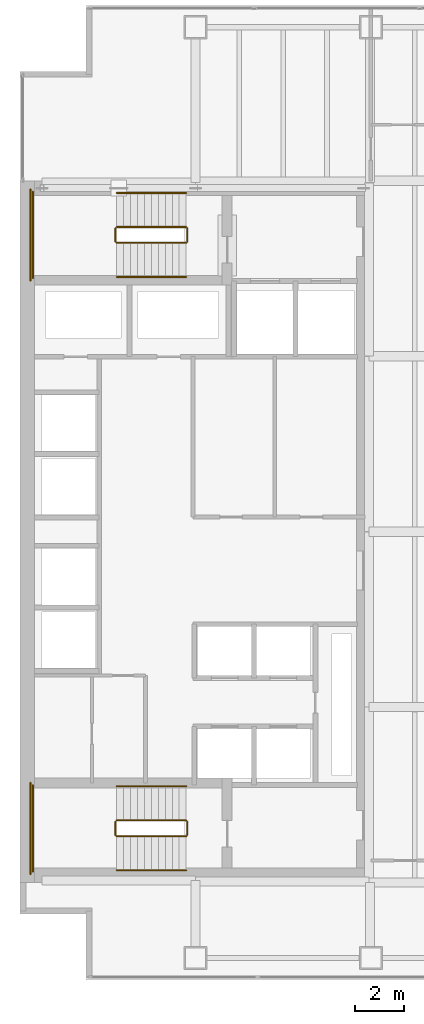
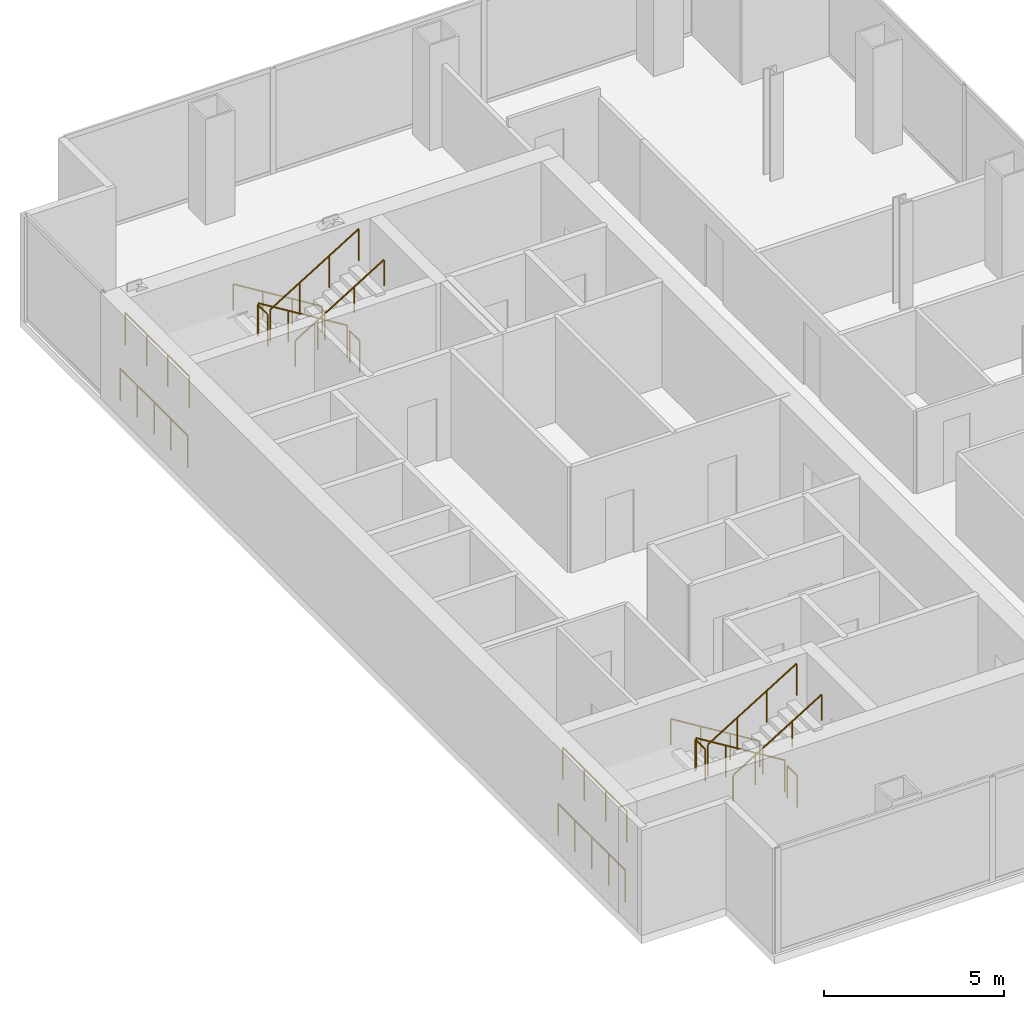
# One storey, part 23 of 23: 16 railings.
"""IFC4 building model written with IfcOpenShell, lengths in metres."""

from ifc_helpers import new_model, si_unit, direction, frame, origin, origin_2d, place, context, subcontext, project, spatial, circle, extrude, material, type_object, element, save


model = new_model("IFC4")

# Units and contexts
model_context = context("Model", 3, precision=1e-05, world=origin(), true_north=direction((0.0, 1.0)))
body_context = subcontext(model_context, "Body", "Model", "MODEL_VIEW")
ifc_project = project(units=[si_unit("LENGTHUNIT", "METRE"), si_unit("AREAUNIT", "SQUARE_METRE"), si_unit("VOLUMEUNIT", "CUBIC_METRE"), si_unit("PLANEANGLEUNIT", "RADIAN"), si_unit("MASSUNIT", "GRAM", prefix="KILO")], contexts=[model_context])

# Site, building, storey
site_placement = place(None, origin())
site = spatial("IfcSite", under=ifc_project, at=site_placement, CompositionType="ELEMENT")
building_placement = place(site_placement, origin())
building = spatial("IfcBuilding", under=site, at=building_placement, Name="Cobrela Telecom Tower", CompositionType="ELEMENT")
storey_placement = place(building_placement, frame((0.0, 0.0, 109.89990234375)))
storey = spatial("IfcBuildingStorey", under=building, at=storey_placement, Name="L27", CompositionType="ELEMENT", Elevation=109.89990234375)

# Railings
ifc_material = material(Name="Steel ASTM A36", Category="steel")
railing_type_1 = type_object("IfcRailingType", Name="RAIL-GUARD-1100", PredefinedType="GUARDRAIL", material=ifc_material)
railing_1_placement = place(storey_placement, frame((6.820068359375, 34.10009765625, 0.175048828125)))
element("IfcRailing", 1, at=railing_1_placement, inside=storey, type_object=railing_type_1, Name="L27 ST1 stair guard 1", PredefinedType="GUARDRAIL", context=body_context, shape_type="SweptSolid", body=[
    extrude(circle(Radius=0.02392578125, at=origin_2d()), frame((0.0, 0.0, 1.076171875), z_axis=(-0.852179220489, 0.0, 0.52325001306), x_axis=(0.0, -1.0, 0.0)), (0.0, 0.0, 1.0), 3.344482421875),
    extrude(circle(Radius=0.02099609375, at=origin_2d()), origin(), (0.0, 0.0, 1.0), 1.052001953125),
    extrude(circle(Radius=0.02099609375, at=origin_2d()), frame((-0.949951171875, 0.0, 0.583251953125)), (0.0, 0.0, 1.0), 1.052001953125),
    extrude(circle(Radius=0.02099609375, at=origin_2d()), frame((-1.900146484375, 0.0, 1.166748046875)), (0.0, 0.0, 1.0), 1.052001953125),
    extrude(circle(Radius=0.02099609375, at=origin_2d()), frame((-2.85009765625, 0.0, 1.75)), (0.0, 0.0, 1.0), 1.052001953125),
])
railing_2_placement = place(storey_placement, frame((3.919921875, 34.050048828125, 1.925048828125)))
element("IfcRailing", 2, at=railing_2_placement, inside=storey, type_object=railing_type_1, Name="L27 ST1 stair guard 2", PredefinedType="GUARDRAIL", context=body_context, shape_type="SweptSolid", body=[
    extrude(circle(Radius=0.02392578125, at=origin_2d()), frame((0.0, 0.0, 1.076171875), z_axis=(0.0, -1.0, 0.0), x_axis=(1.0, 0.0, 0.0)), (0.0, 0.0, 1.0), 0.550048828125),
    extrude(circle(Radius=0.02099609375, at=origin_2d()), origin(), (0.0, 0.0, 1.0), 1.052001953125),
    extrude(circle(Radius=0.02099609375, at=origin_2d()), frame((0.0, -0.550048828125, 0.0)), (0.0, 0.0, 1.0), 1.052001953125),
])
railing_3_placement = place(storey_placement, frame((0.530029296875, 35.550048828125, 1.925048828125)))
element("IfcRailing", 3, at=railing_3_placement, inside=storey, type_object=railing_type_1, Name="L27 ST1 stair guard 3", PredefinedType="GUARDRAIL", context=body_context, shape_type="SweptSolid", body=[
    extrude(circle(Radius=0.02392578125, at=origin_2d()), frame((0.0, 0.0, 1.076171875), z_axis=(0.0, -1.0, 0.0), x_axis=(1.0, 0.0, 0.0)), (0.0, 0.0, 1.0), 3.550048828125),
    extrude(circle(Radius=0.02099609375, at=origin_2d()), origin(), (0.0, 0.0, 1.0), 1.052001953125),
    extrude(circle(Radius=0.02099609375, at=origin_2d()), frame((0.0, -1.183349609375, 0.0)), (0.0, 0.0, 1.0), 1.052001953125),
    extrude(circle(Radius=0.02099609375, at=origin_2d()), frame((0.0, -2.36669921875, 0.0)), (0.0, 0.0, 1.0), 1.052001953125),
    extrude(circle(Radius=0.02099609375, at=origin_2d()), frame((0.0, -3.550048828125, 0.0)), (0.0, 0.0, 1.0), 1.052001953125),
])
railing_4_placement = place(storey_placement, frame((3.969970703125, 33.449951171875, 2.10009765625)))
element("IfcRailing", 4, at=railing_4_placement, inside=storey, type_object=railing_type_1, Name="L27 ST1 stair guard 4", PredefinedType="GUARDRAIL", context=body_context, shape_type="SweptSolid", body=[
    extrude(circle(Radius=0.02392578125, at=origin_2d()), frame((0.0, 0.0, 1.076171875), z_axis=(0.852179220489, 0.0, 0.52325001306), x_axis=(0.0, 1.0, 0.0)), (0.0, 0.0, 1.0), 3.344482421875),
    extrude(circle(Radius=0.02099609375, at=origin_2d()), origin(), (0.0, 0.0, 1.0), 1.052001953125),
    extrude(circle(Radius=0.02099609375, at=origin_2d()), frame((0.949951171875, 0.0, 0.583251953125)), (0.0, 0.0, 1.0), 1.052001953125),
    extrude(circle(Radius=0.02099609375, at=origin_2d()), frame((1.900146484375, 0.0, 1.166748046875)), (0.0, 0.0, 1.0), 1.052001953125),
    extrude(circle(Radius=0.02099609375, at=origin_2d()), frame((2.85009765625, 0.0, 1.75)), (0.0, 0.0, 1.0), 1.052001953125),
])
railing_5_placement = place(storey_placement, frame((6.8701171875, 34.050048828125, 0.0)))
element("IfcRailing", 5, at=railing_5_placement, inside=storey, type_object=railing_type_1, Name="L27 ST1 stair guard 5", PredefinedType="GUARDRAIL", context=body_context, shape_type="SweptSolid", body=[
    extrude(circle(Radius=0.02392578125, at=origin_2d()), frame((0.0, 0.0, 1.076171875), z_axis=(0.0, -1.0, 0.0), x_axis=(1.0, 0.0, 0.0)), (0.0, 0.0, 1.0), 0.550048828125),
    extrude(circle(Radius=0.02099609375, at=origin_2d()), origin(), (0.0, 0.0, 1.0), 1.052001953125),
    extrude(circle(Radius=0.02099609375, at=origin_2d()), frame((0.0, -0.550048828125, 0.0)), (0.0, 0.0, 1.0), 1.052001953125),
])
railing_6_placement = place(storey_placement, frame((0.429931640625, 35.64990234375, 0.0)))
element("IfcRailing", 6, at=railing_6_placement, inside=storey, type_object=railing_type_1, Name="L27 ST1 stair guard 6", PredefinedType="GUARDRAIL", context=body_context, shape_type="SweptSolid", body=[
    extrude(circle(Radius=0.02392578125, at=origin_2d()), frame((0.0, 0.0, 1.076171875), z_axis=(0.0, -1.0, 0.0), x_axis=(1.0, 0.0, 0.0)), (0.0, 0.0, 1.0), 3.75),
    extrude(circle(Radius=0.02099609375, at=origin_2d()), origin(), (0.0, 0.0, 1.0), 1.052001953125),
    extrude(circle(Radius=0.02099609375, at=origin_2d()), frame((0.0, -0.9375, 0.0)), (0.0, 0.0, 1.0), 1.052001953125),
    extrude(circle(Radius=0.02099609375, at=origin_2d()), frame((0.0, -1.875, 0.0)), (0.0, 0.0, 1.0), 1.052001953125),
    extrude(circle(Radius=0.02099609375, at=origin_2d()), frame((0.0, -2.8125, 0.0)), (0.0, 0.0, 1.0), 1.052001953125),
    extrude(circle(Radius=0.02099609375, at=origin_2d()), frame((0.0, -3.75, 0.0)), (0.0, 0.0, 1.0), 1.052001953125),
])
railing_7_placement = place(storey_placement, frame((6.820068359375, 9.75, 0.175048828125)))
element("IfcRailing", 7, at=railing_7_placement, inside=storey, type_object=railing_type_1, Name="L27 ST2 stair guard 1", PredefinedType="GUARDRAIL", context=body_context, shape_type="SweptSolid", body=[
    extrude(circle(Radius=0.02392578125, at=origin_2d()), frame((0.0, 0.0, 1.076171875), z_axis=(-0.852179220489, 0.0, 0.52325001306), x_axis=(0.0, -1.0, 0.0)), (0.0, 0.0, 1.0), 3.344482421875),
    extrude(circle(Radius=0.02099609375, at=origin_2d()), origin(), (0.0, 0.0, 1.0), 1.052001953125),
    extrude(circle(Radius=0.02099609375, at=origin_2d()), frame((-0.949951171875, 0.0, 0.583251953125)), (0.0, 0.0, 1.0), 1.052001953125),
    extrude(circle(Radius=0.02099609375, at=origin_2d()), frame((-1.900146484375, 0.0, 1.166748046875)), (0.0, 0.0, 1.0), 1.052001953125),
    extrude(circle(Radius=0.02099609375, at=origin_2d()), frame((-2.85009765625, 0.0, 1.75)), (0.0, 0.0, 1.0), 1.052001953125),
])
railing_8_placement = place(storey_placement, frame((3.919921875, 9.699951171875, 1.925048828125)))
element("IfcRailing", 8, at=railing_8_placement, inside=storey, type_object=railing_type_1, Name="L27 ST2 stair guard 2", PredefinedType="GUARDRAIL", context=body_context, shape_type="SweptSolid", body=[
    extrude(circle(Radius=0.02392578125, at=origin_2d()), frame((0.0, 0.0, 1.076171875), z_axis=(0.0, -1.0, 0.0), x_axis=(1.0, 0.0, 0.0)), (0.0, 0.0, 1.0), 0.550048828125),
    extrude(circle(Radius=0.02099609375, at=origin_2d()), origin(), (0.0, 0.0, 1.0), 1.052001953125),
    extrude(circle(Radius=0.02099609375, at=origin_2d()), frame((0.0, -0.550048828125, 0.0)), (0.0, 0.0, 1.0), 1.052001953125),
])
railing_9_placement = place(storey_placement, frame((0.530029296875, 11.199951171875, 1.925048828125)))
element("IfcRailing", 9, at=railing_9_placement, inside=storey, type_object=railing_type_1, Name="L27 ST2 stair guard 3", PredefinedType="GUARDRAIL", context=body_context, shape_type="SweptSolid", body=[
    extrude(circle(Radius=0.02392578125, at=origin_2d()), frame((0.0, 0.0, 1.076171875), z_axis=(0.0, -1.0, 0.0), x_axis=(1.0, 0.0, 0.0)), (0.0, 0.0, 1.0), 3.550048828125),
    extrude(circle(Radius=0.02099609375, at=origin_2d()), origin(), (0.0, 0.0, 1.0), 1.052001953125),
    extrude(circle(Radius=0.02099609375, at=origin_2d()), frame((0.0, -1.183349609375, 0.0)), (0.0, 0.0, 1.0), 1.052001953125),
    extrude(circle(Radius=0.02099609375, at=origin_2d()), frame((0.0, -2.36669921875, 0.0)), (0.0, 0.0, 1.0), 1.052001953125),
    extrude(circle(Radius=0.02099609375, at=origin_2d()), frame((0.0, -3.550048828125, 0.0)), (0.0, 0.0, 1.0), 1.052001953125),
])
railing_10_placement = place(storey_placement, frame((3.969970703125, 9.10009765625, 2.10009765625)))
element("IfcRailing", 10, at=railing_10_placement, inside=storey, type_object=railing_type_1, Name="L27 ST2 stair guard 4", PredefinedType="GUARDRAIL", context=body_context, shape_type="SweptSolid", body=[
    extrude(circle(Radius=0.02392578125, at=origin_2d()), frame((0.0, 0.0, 1.076171875), z_axis=(0.852179220489, 0.0, 0.52325001306), x_axis=(0.0, 1.0, 0.0)), (0.0, 0.0, 1.0), 3.344482421875),
    extrude(circle(Radius=0.02099609375, at=origin_2d()), origin(), (0.0, 0.0, 1.0), 1.052001953125),
    extrude(circle(Radius=0.02099609375, at=origin_2d()), frame((0.949951171875, 0.0, 0.583251953125)), (0.0, 0.0, 1.0), 1.052001953125),
    extrude(circle(Radius=0.02099609375, at=origin_2d()), frame((1.900146484375, 0.0, 1.166748046875)), (0.0, 0.0, 1.0), 1.052001953125),
    extrude(circle(Radius=0.02099609375, at=origin_2d()), frame((2.85009765625, 0.0, 1.75)), (0.0, 0.0, 1.0), 1.052001953125),
])
railing_11_placement = place(storey_placement, frame((6.8701171875, 9.699951171875, 0.0)))
element("IfcRailing", 11, at=railing_11_placement, inside=storey, type_object=railing_type_1, Name="L27 ST2 stair guard 5", PredefinedType="GUARDRAIL", context=body_context, shape_type="SweptSolid", body=[
    extrude(circle(Radius=0.02392578125, at=origin_2d()), frame((0.0, 0.0, 1.076171875), z_axis=(0.0, -1.0, 0.0), x_axis=(1.0, 0.0, 0.0)), (0.0, 0.0, 1.0), 0.550048828125),
    extrude(circle(Radius=0.02099609375, at=origin_2d()), origin(), (0.0, 0.0, 1.0), 1.052001953125),
    extrude(circle(Radius=0.02099609375, at=origin_2d()), frame((0.0, -0.550048828125, 0.0)), (0.0, 0.0, 1.0), 1.052001953125),
])
railing_12_placement = place(storey_placement, frame((0.429931640625, 11.300048828125, 0.0)))
element("IfcRailing", 12, at=railing_12_placement, inside=storey, type_object=railing_type_1, Name="L27 ST2 stair guard 6", PredefinedType="GUARDRAIL", context=body_context, shape_type="SweptSolid", body=[
    extrude(circle(Radius=0.02392578125, at=origin_2d()), frame((0.0, 0.0, 1.076171875), z_axis=(0.0, -1.0, 0.0), x_axis=(1.0, 0.0, 0.0)), (0.0, 0.0, 1.0), 3.75),
    extrude(circle(Radius=0.02099609375, at=origin_2d()), origin(), (0.0, 0.0, 1.0), 1.052001953125),
    extrude(circle(Radius=0.02099609375, at=origin_2d()), frame((0.0, -0.9375, 0.0)), (0.0, 0.0, 1.0), 1.052001953125),
    extrude(circle(Radius=0.02099609375, at=origin_2d()), frame((0.0, -1.875, 0.0)), (0.0, 0.0, 1.0), 1.052001953125),
    extrude(circle(Radius=0.02099609375, at=origin_2d()), frame((0.0, -2.8125, 0.0)), (0.0, 0.0, 1.0), 1.052001953125),
    extrude(circle(Radius=0.02099609375, at=origin_2d()), frame((0.0, -3.75, 0.0)), (0.0, 0.0, 1.0), 1.052001953125),
])
railing_type_2 = type_object("IfcRailingType", Name="RAIL-HAND-920", PredefinedType="HANDRAIL", material=ifc_material)
railing_13_placement = place(storey_placement, frame((6.820068359375, 35.5, 0.175048828125)))
element("IfcRailing", 13, at=railing_13_placement, inside=storey, type_object=railing_type_2, Name="L27 ST1 stair handrail 1", PredefinedType="HANDRAIL", context=body_context, shape_type="SweptSolid", body=[
    extrude(circle(Radius=0.02392578125, at=origin_2d()), frame((0.0, 0.0, 0.8759765625), z_axis=(-0.852179220489, 0.0, 0.52325001306), x_axis=(0.0, -1.0, 0.0)), (0.0, 0.0, 1.0), 3.344482421875),
    extrude(circle(Radius=0.02099609375, at=origin_2d()), origin(), (0.0, 0.0, 1.0), 0.851806640625),
    extrude(circle(Radius=0.02099609375, at=origin_2d()), frame((-0.949951171875, 0.0, 0.583251953125)), (0.0, 0.0, 1.0), 0.851806640625),
    extrude(circle(Radius=0.02099609375, at=origin_2d()), frame((-1.900146484375, 0.0, 1.166748046875)), (0.0, 0.0, 1.0), 0.851806640625),
    extrude(circle(Radius=0.02099609375, at=origin_2d()), frame((-2.85009765625, 0.0, 1.75)), (0.0, 0.0, 1.0), 0.851806640625),
])
railing_14_placement = place(storey_placement, frame((3.969970703125, 32.050048828125, 2.10009765625)))
element("IfcRailing", 14, at=railing_14_placement, inside=storey, type_object=railing_type_2, Name="L27 ST1 stair handrail 2", PredefinedType="HANDRAIL", context=body_context, shape_type="SweptSolid", body=[
    extrude(circle(Radius=0.02392578125, at=origin_2d()), frame((0.0, 0.0, 0.8759765625), z_axis=(0.852179220489, 0.0, 0.52325001306), x_axis=(0.0, 1.0, 0.0)), (0.0, 0.0, 1.0), 3.344482421875),
    extrude(circle(Radius=0.02099609375, at=origin_2d()), origin(), (0.0, 0.0, 1.0), 0.851806640625),
    extrude(circle(Radius=0.02099609375, at=origin_2d()), frame((0.949951171875, 0.0, 0.583251953125)), (0.0, 0.0, 1.0), 0.851806640625),
    extrude(circle(Radius=0.02099609375, at=origin_2d()), frame((1.900146484375, 0.0, 1.166748046875)), (0.0, 0.0, 1.0), 0.851806640625),
    extrude(circle(Radius=0.02099609375, at=origin_2d()), frame((2.85009765625, 0.0, 1.75)), (0.0, 0.0, 1.0), 0.851806640625),
])
railing_15_placement = place(storey_placement, frame((6.820068359375, 11.14990234375, 0.175048828125)))
element("IfcRailing", 15, at=railing_15_placement, inside=storey, type_object=railing_type_2, Name="L27 ST2 stair handrail 1", PredefinedType="HANDRAIL", context=body_context, shape_type="SweptSolid", body=[
    extrude(circle(Radius=0.02392578125, at=origin_2d()), frame((0.0, 0.0, 0.8759765625), z_axis=(-0.852179220489, 0.0, 0.52325001306), x_axis=(0.0, -1.0, 0.0)), (0.0, 0.0, 1.0), 3.344482421875),
    extrude(circle(Radius=0.02099609375, at=origin_2d()), origin(), (0.0, 0.0, 1.0), 0.851806640625),
    extrude(circle(Radius=0.02099609375, at=origin_2d()), frame((-0.949951171875, 0.0, 0.583251953125)), (0.0, 0.0, 1.0), 0.851806640625),
    extrude(circle(Radius=0.02099609375, at=origin_2d()), frame((-1.900146484375, 0.0, 1.166748046875)), (0.0, 0.0, 1.0), 0.851806640625),
    extrude(circle(Radius=0.02099609375, at=origin_2d()), frame((-2.85009765625, 0.0, 1.75)), (0.0, 0.0, 1.0), 0.851806640625),
])
railing_16_placement = place(storey_placement, frame((3.969970703125, 7.699951171875, 2.10009765625)))
element("IfcRailing", 16, at=railing_16_placement, inside=storey, type_object=railing_type_2, Name="L27 ST2 stair handrail 2", PredefinedType="HANDRAIL", context=body_context, shape_type="SweptSolid", body=[
    extrude(circle(Radius=0.02392578125, at=origin_2d()), frame((0.0, 0.0, 0.8759765625), z_axis=(0.852179220489, 0.0, 0.52325001306), x_axis=(0.0, 1.0, 0.0)), (0.0, 0.0, 1.0), 3.344482421875),
    extrude(circle(Radius=0.02099609375, at=origin_2d()), origin(), (0.0, 0.0, 1.0), 0.851806640625),
    extrude(circle(Radius=0.02099609375, at=origin_2d()), frame((0.949951171875, 0.0, 0.583251953125)), (0.0, 0.0, 1.0), 0.851806640625),
    extrude(circle(Radius=0.02099609375, at=origin_2d()), frame((1.900146484375, 0.0, 1.166748046875)), (0.0, 0.0, 1.0), 0.851806640625),
    extrude(circle(Radius=0.02099609375, at=origin_2d()), frame((2.85009765625, 0.0, 1.75)), (0.0, 0.0, 1.0), 0.851806640625),
])

save(model, "model.ifc")
